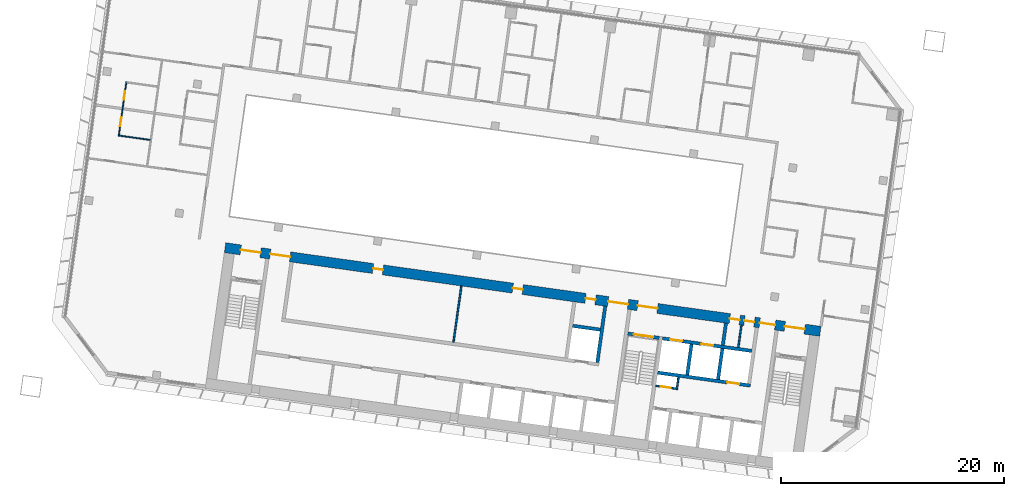
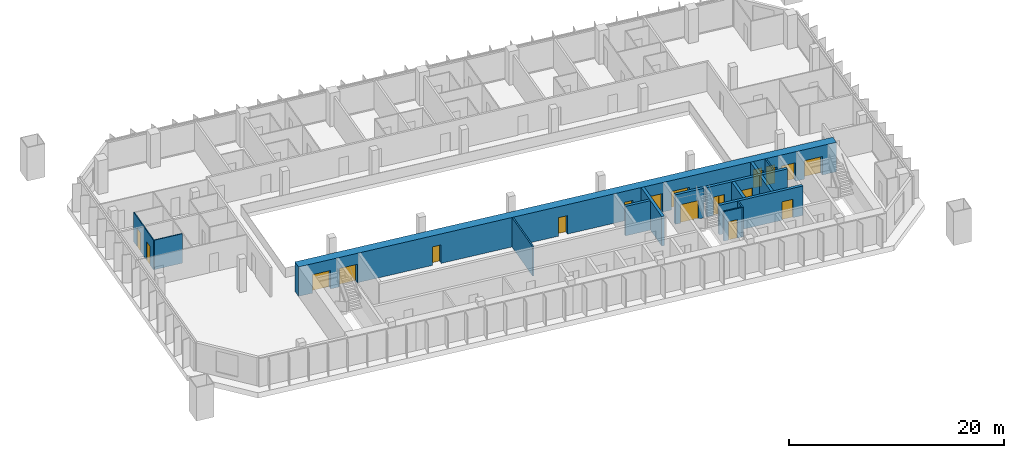
# One storey, part 15 of 25: 18 doors, 15 walls, 18 openings.
"""IFC4 building model written with IfcOpenShell, lengths in metres."""

from ifc_helpers import new_model, si_unit, direction, frame, frame_2d, origin, place, context, subcontext, project, spatial, rectangle, extrude, material, layer, layer_set, type_object, element, fill, save


model = new_model("IFC4")

# Units and contexts
model_context = context("Model", 3, precision=1e-05, world=origin(), true_north=direction((0.0, 1.0)))
body_context = subcontext(model_context, "Body", "Model", "MODEL_VIEW")
ifc_project = project(units=[si_unit("LENGTHUNIT", "METRE"), si_unit("AREAUNIT", "SQUARE_METRE"), si_unit("VOLUMEUNIT", "CUBIC_METRE"), si_unit("PLANEANGLEUNIT", "RADIAN"), si_unit("MASSUNIT", "GRAM", prefix="KILO")], contexts=[model_context])

# Site, building, storey
site_placement = place(None, origin())
site = spatial("IfcSite", under=ifc_project, at=site_placement, CompositionType="ELEMENT")
building_placement = place(site_placement, origin())
building = spatial("IfcBuilding", under=site, at=building_placement, Name="Mirante Cascada Hotel Towers", CompositionType="ELEMENT")
storey_placement = place(building_placement, frame((0.0, 0.0, 54.7)))
storey = spatial("IfcBuildingStorey", under=building, at=storey_placement, Name="L10", CompositionType="ELEMENT", Elevation=54.7)

# Wall
ifc_material_1 = material(Name="Masonry block", Category="masonry")
ifc_layer_1 = layer(ifc_material_1, 0.15)
ifc_layer_set_1 = layer_set([ifc_layer_1], Name="Core room partition 150 block EI 30")
wall_type_1 = type_object("IfcWallType", Name="Core room partition 150 block EI 30", PredefinedType="PARTITIONING", material=ifc_layer_set_1)
wall_1_placement = place(storey_placement, frame((-48.2295, -12.793, 0.0), z_axis=(0.0, 0.0, 1.0), x_axis=(0.1391935, 0.9902652, 0.0)))
element("IfcWall", 1, at=wall_1_placement, inside=storey, type_object=wall_type_1, Name="Core wall partition T1 L10 2", PredefinedType="PARTITIONING", context=body_context, shape_type="SweptSolid", body=[
    extrude(rectangle(XDim=1.1251, YDim=0.15, at=frame_2d((0.5626, 0.0))), origin(), (0.0, 0.0, 1.0), 3.35),
])

# Wall, opening, door
wall_2_placement = place(storey_placement, frame((-48.2933, -12.7083, 0.0), z_axis=(0.0, 0.0, 1.0), x_axis=(-0.990268, 0.1391734, 0.0)))
wall_2 = element("IfcWall", 2, at=wall_2_placement, inside=storey, type_object=wall_type_1, Name="Core wall partition T1 L10 3", PredefinedType="PARTITIONING", context=body_context, shape_type="SweptSolid", body=[
    extrude(rectangle(XDim=1.8251, YDim=0.15, at=frame_2d((0.9126, 0.0))), origin(), (0.0, 0.0, 1.0), 3.35),
])
opening_1_placement = place(wall_2_placement, frame((0.4625, 0.0, 0.0)))
opening_1 = element("IfcOpeningElement", 3, at=opening_1_placement, cuts=wall_2, Name="Opening D1-10-C23", PredefinedType="OPENING", context=body_context, shape_type="SweptSolid", body=[
    extrude(rectangle(XDim=0.9, YDim=2.1, at=frame_2d((0.45, 1.05))), frame((0.0, 0.075, 0.0), z_axis=(0.0, -1.0, 0.0), x_axis=(1.0, 0.0, 0.0)), (0.0, 0.0, 1.0), 0.15),
])
ifc_material_2 = material(Name="Hollow metal fire door leaf")
door_type_1 = type_object("IfcDoorType", Name="Fire door 900x2100 FD60", OperationType="NOTDEFINED", PredefinedType="DOOR", material=ifc_material_2)
door_1_placement = place(opening_1_placement, origin())
door_1 = element("IfcDoor", 4, at=door_1_placement, inside=storey, type_object=door_type_1, Name="Riser door T1 L10 23", OperationType="SINGLE_SWING_LEFT", OverallHeight=2.1, OverallWidth=0.9, PredefinedType="DOOR", context=body_context, shape_type="SweptSolid", body=[
    extrude(rectangle(XDim=0.9, YDim=2.1, at=frame_2d((0.45, 1.05))), frame((0.0, 0.025, 0.0), z_axis=(0.0, -1.0, 0.0), x_axis=(1.0, 0.0, 0.0)), (0.0, 0.0, 1.0), 0.05),
])
fill(opening_1, door_1)

# Walls
wall_3_placement = place(storey_placement, frame((-42.6979, -9.0009, 0.0), z_axis=(0.0, 0.0, 1.0), x_axis=(0.1391529, 0.9902709, 0.0)))
element("IfcWall", 5, at=wall_3_placement, inside=storey, type_object=wall_type_1, Name="Core wall partition T1 L10 4", PredefinedType="PARTITIONING", context=body_context, shape_type="SweptSolid", body=[
    extrude(rectangle(XDim=2.0, YDim=0.15, at=frame_2d((1.0, 0.0))), origin(), (0.0, 0.0, 1.0), 3.35),
])
wall_4_placement = place(storey_placement, frame((-68.2822, -8.5358, 0.0), z_axis=(0.0, 0.0, 1.0), x_axis=(0.1391755, 0.9902677, 0.0)))
element("IfcWall", 6, at=wall_4_placement, inside=storey, type_object=wall_type_1, Name="Core wall partition T1 L10 7", PredefinedType="PARTITIONING", context=body_context, shape_type="SweptSolid", body=[
    extrude(rectangle(XDim=5.1, YDim=0.15, at=frame_2d((2.55, 0.0))), origin(), (0.0, 0.0, 1.0), 3.35),
])
ifc_material_3 = material(Name="Masonry block", Category="masonry")
ifc_layer_2 = layer(ifc_material_3, 0.3)
ifc_layer_set_2 = layer_set([ifc_layer_2], Name="Core wall 300 block EI 120")
wall_type_2 = type_object("IfcWallType", Name="Core wall 300 block EI 120", PredefinedType="PARTITIONING", material=ifc_layer_set_2)
wall_5_placement = place(storey_placement, frame((-44.0843, -8.8061, 0.0), z_axis=(0.0, 0.0, 1.0), x_axis=(0.1391951, 0.990265, 0.0)))
element("IfcWall", 7, at=wall_5_placement, inside=storey, type_object=wall_type_2, Name="Core wall partition T1 L10 1", PredefinedType="PARTITIONING", context=body_context, shape_type="SweptSolid", body=[
    extrude(rectangle(XDim=2.0001, YDim=0.3, at=frame_2d((1.0001, 0.0))), origin(), (0.0, 0.0, 1.0), 3.35),
])
ifc_material_4 = material(Name="Plasterboard on metal studs")
ifc_layer_3 = layer(ifc_material_4, 0.1)
ifc_layer_set_3 = layer_set([ifc_layer_3], Name="Partition 100")
wall_type_3 = type_object("IfcWallType", Name="Partition 100", PredefinedType="PARTITIONING", material=ifc_layer_set_3)
wall_6_placement = place(storey_placement, frame((-95.5188, 9.6317, 0.0), z_axis=(0.0, 0.0, 1.0), x_axis=(-0.9902726, 0.139141, 0.0)))
element("IfcWall", 8, at=wall_6_placement, inside=storey, type_object=wall_type_3, Name="Wall 1-L10-11", PredefinedType="PARTITIONING", context=body_context, shape_type="SweptSolid", body=[
    extrude(rectangle(XDim=2.8, YDim=0.1, at=frame_2d((1.4, 0.0))), origin(), (0.0, 0.0, 1.0), 3.35),
])

# Wall, openings, doors
wall_7_placement = place(storey_placement, frame((-97.6615, 14.8641, 0.0), z_axis=(0.0, 0.0, 1.0), x_axis=(-0.1391564, -0.9902704, 0.0)))
wall_7 = element("IfcWall", 9, at=wall_7_placement, inside=storey, type_object=wall_type_3, Name="Wall 1-L10-62", PredefinedType="PARTITIONING", context=body_context, shape_type="SweptSolid", body=[
    extrude(rectangle(XDim=4.9333, YDim=0.1, at=frame_2d((2.4666, 0.0))), origin(), (0.0, 0.0, 1.0), 3.35),
])
opening_2_placement = place(wall_7_placement, frame((3.25, 0.0, 0.0)))
opening_2 = element("IfcOpeningElement", 10, at=opening_2_placement, cuts=wall_7, Name="Opening D1-L10-41", PredefinedType="OPENING", context=body_context, shape_type="SweptSolid", body=[
    extrude(rectangle(XDim=0.8, YDim=2.1, at=frame_2d((0.4, 1.05))), frame((0.0, 0.05, 0.0), z_axis=(0.0, -1.0, 0.0), x_axis=(1.0, 0.0, 0.0)), (0.0, 0.0, 1.0), 0.1),
])
opening_3_placement = place(wall_7_placement, frame((0.85, 0.0, 0.0)))
opening_3 = element("IfcOpeningElement", 11, at=opening_3_placement, cuts=wall_7, Name="Opening D1-L10-42", PredefinedType="OPENING", context=body_context, shape_type="SweptSolid", body=[
    extrude(rectangle(XDim=0.8, YDim=2.1, at=frame_2d((0.4, 1.05))), frame((0.0, 0.05, 0.0), z_axis=(0.0, -1.0, 0.0), x_axis=(1.0, 0.0, 0.0)), (0.0, 0.0, 1.0), 0.1),
])
ifc_material_5 = material(Name="Timber door leaf", Category="wood")
door_type_2 = type_object("IfcDoorType", Name="Bathroom door DG4 800x2100", OperationType="SINGLE_SWING_LEFT", PredefinedType="DOOR", material=ifc_material_5)
door_2_placement = place(opening_2_placement, frame((0.8, 0.0, 0.0), z_axis=(0.0, 0.0, 1.0), x_axis=(-1.0, 0.0, 0.0)))
door_2 = element("IfcDoor", 12, at=door_2_placement, inside=storey, type_object=door_type_2, Name="Door D1-L10-41", OperationType="SINGLE_SWING_RIGHT", OverallHeight=2.1, OverallWidth=0.8, PredefinedType="DOOR", context=body_context, shape_type="SweptSolid", body=[
    extrude(rectangle(XDim=0.8, YDim=2.1, at=frame_2d((0.4, 1.05))), frame((0.0, 0.025, 0.0), z_axis=(0.0, -1.0, 0.0), x_axis=(1.0, 0.0, 0.0)), (0.0, 0.0, 1.0), 0.05),
])
fill(opening_2, door_2)
door_3_placement = place(opening_3_placement, origin())
door_3 = element("IfcDoor", 13, at=door_3_placement, inside=storey, type_object=door_type_2, Name="Door D1-L10-42", OperationType="SINGLE_SWING_LEFT", OverallHeight=2.1, OverallWidth=0.8, PredefinedType="DOOR", context=body_context, shape_type="SweptSolid", body=[
    extrude(rectangle(XDim=0.8, YDim=2.1, at=frame_2d((0.4, 1.05))), frame((0.0, 0.025, 0.0), z_axis=(0.0, -1.0, 0.0), x_axis=(1.0, 0.0, 0.0)), (0.0, 0.0, 1.0), 0.05),
])
fill(opening_3, door_3)

# Wall, opening, door
ifc_material_6 = material(Name="Concrete C50/60", Category="concrete")
ifc_layer_4 = layer(ifc_material_6, 0.3)
ifc_layer_set_4 = layer_set([ifc_layer_4], Name="RC core wall 300 C50/60")
wall_type_4 = type_object("IfcWallType", Name="RC core wall 300 C50/60", PredefinedType="SHEAR", material=ifc_layer_set_4)
wall_8_placement = place(storey_placement, frame((-49.7992, -8.1544, 0.0), z_axis=(0.0, 0.0, 1.0), x_axis=(-0.9902656, 0.1391909, 0.0)))
wall_8 = element("IfcWall", 14, at=wall_8_placement, inside=storey, type_object=wall_type_4, Name="Core wall T1:L10:10", PredefinedType="SHEAR", context=body_context, shape_type="SweptSolid", body=[
    extrude(rectangle(XDim=2.85, YDim=0.3, at=frame_2d((1.425, 0.0))), origin(), (0.0, 0.0, 1.0), 3.35),
])
opening_4_placement = place(wall_8_placement, frame((0.525, 0.0, 0.0)))
opening_4 = element("IfcOpeningElement", 15, at=opening_4_placement, cuts=wall_8, Name="Opening D1-10-C15", PredefinedType="OPENING", context=body_context, shape_type="SweptSolid", body=[
    extrude(rectangle(XDim=1.8, YDim=2.1, at=frame_2d((0.9, 1.05))), frame((0.0, 0.15, 0.0), z_axis=(0.0, -1.0, 0.0), x_axis=(1.0, 0.0, 0.0)), (0.0, 0.0, 1.0), 0.3),
])
ifc_material_7 = material(Name="Hollow metal fire door leaf")
door_type_3 = type_object("IfcDoorType", Name="Double fire door 1800x2100 FD60", OperationType="DOUBLE_DOOR_SINGLE_SWING", PredefinedType="DOOR", material=ifc_material_7)
door_4_placement = place(opening_4_placement, origin())
door_4 = element("IfcDoor", 16, at=door_4_placement, inside=storey, type_object=door_type_3, Name="Stair door T1 L10 15", OperationType="DOUBLE_DOOR_SINGLE_SWING", OverallHeight=2.1, OverallWidth=1.8, PredefinedType="DOOR", context=body_context, shape_type="SweptSolid", body=[
    extrude(rectangle(XDim=0.895, YDim=2.1, at=frame_2d((0.4475, 1.05))), frame((0.0, 0.025, 0.0), z_axis=(0.0, -1.0, 0.0), x_axis=(1.0, 0.0, 0.0)), (0.0, 0.0, 1.0), 0.05),
    extrude(rectangle(XDim=0.895, YDim=2.1, at=frame_2d((1.3525, 1.05))), frame((0.0, 0.025, 0.0), z_axis=(0.0, -1.0, 0.0), x_axis=(1.0, 0.0, 0.0)), (0.0, 0.0, 1.0), 0.05),
])
fill(opening_4, door_4)

wall_9_placement = place(storey_placement, frame((-41.6153, -12.435, 0.0), z_axis=(0.0, 0.0, 1.0), x_axis=(-0.9902691, 0.139166, 0.0)))
wall_9 = element("IfcWall", 17, at=wall_9_placement, inside=storey, type_object=wall_type_4, Name="Core wall T1:L10:13", PredefinedType="SHEAR", context=body_context, shape_type="SweptSolid", body=[
    extrude(rectangle(XDim=8.4, YDim=0.3, at=frame_2d((4.2, 0.0))), origin(), (0.0, 0.0, 1.0), 3.35),
])
opening_5_placement = place(wall_9_placement, frame((1.0, 0.0, 0.0)))
opening_5 = element("IfcOpeningElement", 18, at=opening_5_placement, cuts=wall_9, Name="Opening LD", PredefinedType="OPENING", context=body_context, shape_type="SweptSolid", body=[
    extrude(rectangle(XDim=1.1, YDim=2.1, at=frame_2d((0.55, 1.05))), frame((0.0, 0.15, 0.0), z_axis=(0.0, -1.0, 0.0), x_axis=(1.0, 0.0, 0.0)), (0.0, 0.0, 1.0), 0.3),
])
ifc_material_8 = material(Name="Stainless steel", Category="steel")
door_type_4 = type_object("IfcDoorType", Name="Lift landing door 1100x2100 EI 120", OperationType="DOUBLE_DOOR_SLIDING", PredefinedType="DOOR", material=ifc_material_8)
door_5_placement = place(opening_5_placement, origin())
door_5 = element("IfcDoor", 19, at=door_5_placement, inside=storey, type_object=door_type_4, Name="Lift landing door HR1-4 L10", OperationType="DOUBLE_DOOR_SLIDING", OverallHeight=2.1, OverallWidth=1.1, PredefinedType="DOOR", context=body_context, shape_type="SweptSolid", body=[
    extrude(rectangle(XDim=0.545, YDim=2.1, at=frame_2d((0.2725, 1.05))), frame((0.0, 0.025, 0.0), z_axis=(0.0, -1.0, 0.0), x_axis=(1.0, 0.0, 0.0)), (0.0, 0.0, 1.0), 0.05),
    extrude(rectangle(XDim=0.545, YDim=2.1, at=frame_2d((0.8275, 1.05))), frame((0.0, 0.025, 0.0), z_axis=(0.0, -1.0, 0.0), x_axis=(1.0, 0.0, 0.0)), (0.0, 0.0, 1.0), 0.05),
])
fill(opening_5, door_5)

# Wall, openings, doors
wall_10_placement = place(storey_placement, frame((-41.481, -9.3234, 0.0), z_axis=(0.0, 0.0, 1.0), x_axis=(-0.9902679, 0.1391741, 0.0)))
wall_10 = element("IfcWall", 20, at=wall_10_placement, inside=storey, type_object=wall_type_4, Name="Core wall T1:L10:14", PredefinedType="SHEAR", context=body_context, shape_type="SweptSolid", body=[
    extrude(rectangle(XDim=8.0999, YDim=0.3, at=frame_2d((4.05, 0.0))), origin(), (0.0, 0.0, 1.0), 3.35),
])
opening_6_placement = place(wall_10_placement, frame((3.5, 0.0, 0.0)))
opening_6 = element("IfcOpeningElement", 21, at=opening_6_placement, cuts=wall_10, Name="Opening LD", PredefinedType="OPENING", context=body_context, shape_type="SweptSolid", body=[
    extrude(rectangle(XDim=1.1, YDim=2.1, at=frame_2d((0.55, 1.05))), frame((0.0, 0.15, 0.0), z_axis=(0.0, -1.0, 0.0), x_axis=(1.0, 0.0, 0.0)), (0.0, 0.0, 1.0), 0.3),
])
opening_7_placement = place(wall_10_placement, frame((6.3, 0.0, 0.0)))
opening_7 = element("IfcOpeningElement", 22, at=opening_7_placement, cuts=wall_10, Name="Opening LD", PredefinedType="OPENING", context=body_context, shape_type="SweptSolid", body=[
    extrude(rectangle(XDim=1.1, YDim=2.1, at=frame_2d((0.55, 1.05))), frame((0.0, 0.15, 0.0), z_axis=(0.0, -1.0, 0.0), x_axis=(1.0, 0.0, 0.0)), (0.0, 0.0, 1.0), 0.3),
])
door_6_placement = place(opening_6_placement, origin())
door_6 = element("IfcDoor", 23, at=door_6_placement, inside=storey, type_object=door_type_4, Name="Lift landing door FF1 L10", OperationType="DOUBLE_DOOR_SLIDING", OverallHeight=2.1, OverallWidth=1.1, PredefinedType="DOOR", context=body_context, shape_type="SweptSolid", body=[
    extrude(rectangle(XDim=0.545, YDim=2.1, at=frame_2d((0.2725, 1.05))), frame((0.0, 0.025, 0.0), z_axis=(0.0, -1.0, 0.0), x_axis=(1.0, 0.0, 0.0)), (0.0, 0.0, 1.0), 0.05),
    extrude(rectangle(XDim=0.545, YDim=2.1, at=frame_2d((0.8275, 1.05))), frame((0.0, 0.025, 0.0), z_axis=(0.0, -1.0, 0.0), x_axis=(1.0, 0.0, 0.0)), (0.0, 0.0, 1.0), 0.05),
])
fill(opening_6, door_6)
door_7_placement = place(opening_7_placement, origin())
door_7 = element("IfcDoor", 24, at=door_7_placement, inside=storey, type_object=door_type_4, Name="Lift landing door FF2 L10", OperationType="DOUBLE_DOOR_SLIDING", OverallHeight=2.1, OverallWidth=1.1, PredefinedType="DOOR", context=body_context, shape_type="SweptSolid", body=[
    extrude(rectangle(XDim=0.545, YDim=2.1, at=frame_2d((0.2725, 1.05))), frame((0.0, 0.025, 0.0), z_axis=(0.0, -1.0, 0.0), x_axis=(1.0, 0.0, 0.0)), (0.0, 0.0, 1.0), 0.05),
    extrude(rectangle(XDim=0.545, YDim=2.1, at=frame_2d((0.8275, 1.05))), frame((0.0, 0.025, 0.0), z_axis=(0.0, -1.0, 0.0), x_axis=(1.0, 0.0, 0.0)), (0.0, 0.0, 1.0), 0.05),
])
fill(opening_7, door_7)

# Walls
for number, where, z_axis, x_axis, name in (
    (25, (-44.5157, -11.8759, 0.0), (0.0, 0.0, 1.0), (0.139181, 0.990267, 0.0), "Core wall T1:L10:18"),
    (26, (-47.2885, -11.4862, 0.0), (0.0, 0.0, 1.0), (0.139181, 0.990267, 0.0), "Core wall T1:L10:19"),
):
    element("IfcWall", number, at=place(storey_placement, frame(where, z_axis=z_axis, x_axis=x_axis)), inside=storey, type_object=wall_type_4, Name=name, PredefinedType="SHEAR", context=body_context, shape_type="SweptSolid", body=[
        extrude(rectangle(XDim=2.8, YDim=0.3, at=frame_2d((1.4, 0.0))), origin(), (0.0, 0.0, 1.0), 3.35),
    ])
wall_11_placement = place(storey_placement, frame((-55.3592, -10.352, 0.0), z_axis=(0.0, 0.0, 1.0), x_axis=(0.1391755, 0.9902677, 0.0)))
element("IfcWall", 27, at=wall_11_placement, inside=storey, type_object=wall_type_4, Name="Core wall T1:L10:34", PredefinedType="SHEAR", context=body_context, shape_type="SweptSolid", body=[
    extrude(rectangle(XDim=5.1, YDim=0.3, at=frame_2d((2.55, 0.0))), origin(), (0.0, 0.0, 1.0), 3.35),
])
wall_12_placement = place(storey_placement, frame((-55.0971, -7.4098, 0.0), z_axis=(0.0, 0.0, 1.0), x_axis=(-0.9902701, 0.1391586, 0.0)))
element("IfcWall", 28, at=wall_12_placement, inside=storey, type_object=wall_type_4, Name="Core wall T1:L10:37", PredefinedType="SHEAR", context=body_context, shape_type="SweptSolid", body=[
    extrude(rectangle(XDim=2.5, YDim=0.3, at=frame_2d((1.25, 0.0))), origin(), (0.0, 0.0, 1.0), 3.35),
])

# Wall, openings, doors
ifc_material_9 = material(Name="Concrete C50/60", Category="concrete")
ifc_layer_5 = layer(ifc_material_9, 0.9)
ifc_layer_set_5 = layer_set([ifc_layer_5], Name="RC core wall 900 C50/60")
wall_type_5 = type_object("IfcWallType", Name="RC core wall 900 C50/60", PredefinedType="SHEAR", material=ifc_layer_set_5)
wall_13_placement = place(storey_placement, frame((-35.326, -7.5629, 0.0), z_axis=(0.0, 0.0, 1.0), x_axis=(-0.9902679, 0.139174, 0.0)))
wall_13 = element("IfcWall", 29, at=wall_13_placement, inside=storey, type_object=wall_type_5, Name="Core wall T1:L10:2", PredefinedType="SHEAR", context=body_context, shape_type="SweptSolid", body=[
    extrude(rectangle(XDim=54.0, YDim=0.9, at=frame_2d((27.0, 0.0))), origin(), (0.0, 0.0, 1.0), 3.35),
])
opening_8_placement = place(wall_13_placement, frame((1.425, 0.0, 0.0)))
opening_8 = element("IfcOpeningElement", 30, at=opening_8_placement, cuts=wall_13, Name="Opening D1-10-C14", PredefinedType="OPENING", context=body_context, shape_type="SweptSolid", body=[
    extrude(rectangle(XDim=1.8, YDim=2.1, at=frame_2d((0.9, 1.05))), frame((0.0, 0.45, 0.0), z_axis=(0.0, -1.0, 0.0), x_axis=(1.0, 0.0, 0.0)), (0.0, 0.0, 1.0), 0.9),
])
opening_9_placement = place(wall_13_placement, frame((14.775, 0.0, 0.0)))
opening_9 = element("IfcOpeningElement", 31, at=opening_9_placement, cuts=wall_13, Name="Opening D1-10-C16", PredefinedType="OPENING", context=body_context, shape_type="SweptSolid", body=[
    extrude(rectangle(XDim=1.8, YDim=2.1, at=frame_2d((0.9, 1.05))), frame((0.0, 0.45, 0.0), z_axis=(0.0, -1.0, 0.0), x_axis=(1.0, 0.0, 0.0)), (0.0, 0.0, 1.0), 0.9),
])
opening_10_placement = place(wall_13_placement, frame((50.775, 0.0, 0.0)))
opening_10 = element("IfcOpeningElement", 32, at=opening_10_placement, cuts=wall_13, Name="Opening D1-10-C18", PredefinedType="OPENING", context=body_context, shape_type="SweptSolid", body=[
    extrude(rectangle(XDim=1.8, YDim=2.1, at=frame_2d((0.9, 1.05))), frame((0.0, 0.45, 0.0), z_axis=(0.0, -1.0, 0.0), x_axis=(1.0, 0.0, 0.0)), (0.0, 0.0, 1.0), 0.9),
])
opening_11_placement = place(wall_13_placement, frame((4.1, 0.0, 0.0)))
opening_11 = element("IfcOpeningElement", 33, at=opening_11_placement, cuts=wall_13, Name="Opening D1-10-C19", PredefinedType="OPENING", context=body_context, shape_type="SweptSolid", body=[
    extrude(rectangle(XDim=1.4, YDim=2.1, at=frame_2d((0.7, 1.05))), frame((0.0, 0.45, 0.0), z_axis=(0.0, -1.0, 0.0), x_axis=(1.0, 0.0, 0.0)), (0.0, 0.0, 1.0), 0.9),
])
opening_12_placement = place(wall_13_placement, frame((17.45, 0.0, 0.0)))
opening_12 = element("IfcOpeningElement", 34, at=opening_12_placement, cuts=wall_13, Name="Opening D1-10-C20", PredefinedType="OPENING", context=body_context, shape_type="SweptSolid", body=[
    extrude(rectangle(XDim=1.8, YDim=2.1, at=frame_2d((0.9, 1.05))), frame((0.0, 0.45, 0.0), z_axis=(0.0, -1.0, 0.0), x_axis=(1.0, 0.0, 0.0)), (0.0, 0.0, 1.0), 0.9),
])
opening_13_placement = place(wall_13_placement, frame((48.1, 0.0, 0.0)))
opening_13 = element("IfcOpeningElement", 35, at=opening_13_placement, cuts=wall_13, Name="Opening D1-10-C21", PredefinedType="OPENING", context=body_context, shape_type="SweptSolid", body=[
    extrude(rectangle(XDim=1.8, YDim=2.1, at=frame_2d((0.9, 1.05))), frame((0.0, 0.45, 0.0), z_axis=(0.0, -1.0, 0.0), x_axis=(1.0, 0.0, 0.0)), (0.0, 0.0, 1.0), 0.9),
])
opening_14_placement = place(wall_13_placement, frame((5.9875, 0.0, 0.0)))
opening_14 = element("IfcOpeningElement", 36, at=opening_14_placement, cuts=wall_13, Name="Opening D1-10-C24", PredefinedType="OPENING", context=body_context, shape_type="SweptSolid", body=[
    extrude(rectangle(XDim=0.9, YDim=2.1, at=frame_2d((0.45, 1.05))), frame((0.0, 0.45, 0.0), z_axis=(0.0, -1.0, 0.0), x_axis=(1.0, 0.0, 0.0)), (0.0, 0.0, 1.0), 0.9),
])
opening_15_placement = place(wall_13_placement, frame((7.3125, 0.0, 0.0)))
opening_15 = element("IfcOpeningElement", 37, at=opening_15_placement, cuts=wall_13, Name="Opening D1-10-C25", PredefinedType="OPENING", context=body_context, shape_type="SweptSolid", body=[
    extrude(rectangle(XDim=0.9, YDim=2.1, at=frame_2d((0.45, 1.05))), frame((0.0, 0.45, 0.0), z_axis=(0.0, -1.0, 0.0), x_axis=(1.0, 0.0, 0.0)), (0.0, 0.0, 1.0), 0.9),
])
opening_16_placement = place(wall_13_placement, frame((20.4, 0.0, 0.0)))
opening_16 = element("IfcOpeningElement", 38, at=opening_16_placement, cuts=wall_13, Name="Opening D1-10-C29", PredefinedType="OPENING", context=body_context, shape_type="SweptSolid", body=[
    extrude(rectangle(XDim=0.9, YDim=2.1, at=frame_2d((0.45, 1.05))), frame((0.0, 0.45, 0.0), z_axis=(0.0, -1.0, 0.0), x_axis=(1.0, 0.0, 0.0)), (0.0, 0.0, 1.0), 0.9),
])
opening_17_placement = place(wall_13_placement, frame((27.0, 0.0, 0.0)))
opening_17 = element("IfcOpeningElement", 39, at=opening_17_placement, cuts=wall_13, Name="Opening D1-10-C30", PredefinedType="OPENING", context=body_context, shape_type="SweptSolid", body=[
    extrude(rectangle(XDim=0.9, YDim=2.1, at=frame_2d((0.45, 1.05))), frame((0.0, 0.45, 0.0), z_axis=(0.0, -1.0, 0.0), x_axis=(1.0, 0.0, 0.0)), (0.0, 0.0, 1.0), 0.9),
])
opening_18_placement = place(wall_13_placement, frame((39.675, 0.0, 0.0)))
opening_18 = element("IfcOpeningElement", 40, at=opening_18_placement, cuts=wall_13, Name="Opening D1-10-C31", PredefinedType="OPENING", context=body_context, shape_type="SweptSolid", body=[
    extrude(rectangle(XDim=0.9, YDim=2.1, at=frame_2d((0.45, 1.05))), frame((0.0, 0.45, 0.0), z_axis=(0.0, -1.0, 0.0), x_axis=(1.0, 0.0, 0.0)), (0.0, 0.0, 1.0), 0.9),
])
ifc_material_10 = material(Name="Hollow metal fire door leaf")
door_type_5 = type_object("IfcDoorType", Name="Double fire door 1400x2100 FD60", OperationType="DOUBLE_DOOR_SINGLE_SWING", PredefinedType="DOOR", material=ifc_material_10)
door_8_placement = place(opening_11_placement, frame((1.4, 0.0, 0.0), z_axis=(0.0, 0.0, 1.0), x_axis=(-1.0, 0.0, 0.0)))
door_8 = element("IfcDoor", 41, at=door_8_placement, inside=storey, type_object=door_type_5, Name="Exit door to gallery T1 L10 19", OperationType="DOUBLE_DOOR_SINGLE_SWING", OverallHeight=2.1, OverallWidth=1.4, PredefinedType="DOOR", context=body_context, shape_type="SweptSolid", body=[
    extrude(rectangle(XDim=0.695, YDim=2.1, at=frame_2d((0.3475, 1.05))), frame((0.0, 0.025, 0.0), z_axis=(0.0, -1.0, 0.0), x_axis=(1.0, 0.0, 0.0)), (0.0, 0.0, 1.0), 0.05),
    extrude(rectangle(XDim=0.695, YDim=2.1, at=frame_2d((1.0525, 1.05))), frame((0.0, 0.025, 0.0), z_axis=(0.0, -1.0, 0.0), x_axis=(1.0, 0.0, 0.0)), (0.0, 0.0, 1.0), 0.05),
])
fill(opening_11, door_8)
door_9_placement = place(opening_8_placement, origin())
door_9 = element("IfcDoor", 42, at=door_9_placement, inside=storey, type_object=door_type_3, Name="Exit door to gallery T1 L10 14", OperationType="DOUBLE_DOOR_SINGLE_SWING", OverallHeight=2.1, OverallWidth=1.8, PredefinedType="DOOR", context=body_context, shape_type="SweptSolid", body=[
    extrude(rectangle(XDim=0.895, YDim=2.1, at=frame_2d((0.4475, 1.05))), frame((0.0, 0.025, 0.0), z_axis=(0.0, -1.0, 0.0), x_axis=(1.0, 0.0, 0.0)), (0.0, 0.0, 1.0), 0.05),
    extrude(rectangle(XDim=0.895, YDim=2.1, at=frame_2d((1.3525, 1.05))), frame((0.0, 0.025, 0.0), z_axis=(0.0, -1.0, 0.0), x_axis=(1.0, 0.0, 0.0)), (0.0, 0.0, 1.0), 0.05),
])
fill(opening_8, door_9)
door_10_placement = place(opening_9_placement, origin())
door_10 = element("IfcDoor", 43, at=door_10_placement, inside=storey, type_object=door_type_3, Name="Exit door to gallery T1 L10 16", OperationType="DOUBLE_DOOR_SINGLE_SWING", OverallHeight=2.1, OverallWidth=1.8, PredefinedType="DOOR", context=body_context, shape_type="SweptSolid", body=[
    extrude(rectangle(XDim=0.895, YDim=2.1, at=frame_2d((0.4475, 1.05))), frame((0.0, 0.025, 0.0), z_axis=(0.0, -1.0, 0.0), x_axis=(1.0, 0.0, 0.0)), (0.0, 0.0, 1.0), 0.05),
    extrude(rectangle(XDim=0.895, YDim=2.1, at=frame_2d((1.3525, 1.05))), frame((0.0, 0.025, 0.0), z_axis=(0.0, -1.0, 0.0), x_axis=(1.0, 0.0, 0.0)), (0.0, 0.0, 1.0), 0.05),
])
fill(opening_9, door_10)
door_11_placement = place(opening_10_placement, origin())
door_11 = element("IfcDoor", 44, at=door_11_placement, inside=storey, type_object=door_type_3, Name="Exit door to gallery T1 L10 18", OperationType="DOUBLE_DOOR_SINGLE_SWING", OverallHeight=2.1, OverallWidth=1.8, PredefinedType="DOOR", context=body_context, shape_type="SweptSolid", body=[
    extrude(rectangle(XDim=0.895, YDim=2.1, at=frame_2d((0.4475, 1.05))), frame((0.0, 0.025, 0.0), z_axis=(0.0, -1.0, 0.0), x_axis=(1.0, 0.0, 0.0)), (0.0, 0.0, 1.0), 0.05),
    extrude(rectangle(XDim=0.895, YDim=2.1, at=frame_2d((1.3525, 1.05))), frame((0.0, 0.025, 0.0), z_axis=(0.0, -1.0, 0.0), x_axis=(1.0, 0.0, 0.0)), (0.0, 0.0, 1.0), 0.05),
])
fill(opening_10, door_11)
door_12_placement = place(opening_12_placement, frame((1.8, 0.0, 0.0), z_axis=(0.0, 0.0, 1.0), x_axis=(-1.0, 0.0, 0.0)))
door_12 = element("IfcDoor", 45, at=door_12_placement, inside=storey, type_object=door_type_3, Name="Exit door to gallery T1 L10 20", OperationType="DOUBLE_DOOR_SINGLE_SWING", OverallHeight=2.1, OverallWidth=1.8, PredefinedType="DOOR", context=body_context, shape_type="SweptSolid", body=[
    extrude(rectangle(XDim=0.895, YDim=2.1, at=frame_2d((0.4475, 1.05))), frame((0.0, 0.025, 0.0), z_axis=(0.0, -1.0, 0.0), x_axis=(1.0, 0.0, 0.0)), (0.0, 0.0, 1.0), 0.05),
    extrude(rectangle(XDim=0.895, YDim=2.1, at=frame_2d((1.3525, 1.05))), frame((0.0, 0.025, 0.0), z_axis=(0.0, -1.0, 0.0), x_axis=(1.0, 0.0, 0.0)), (0.0, 0.0, 1.0), 0.05),
])
fill(opening_12, door_12)
door_13_placement = place(opening_13_placement, frame((1.8, 0.0, 0.0), z_axis=(0.0, 0.0, 1.0), x_axis=(-1.0, 0.0, 0.0)))
door_13 = element("IfcDoor", 46, at=door_13_placement, inside=storey, type_object=door_type_3, Name="Exit door to gallery T1 L10 21", OperationType="DOUBLE_DOOR_SINGLE_SWING", OverallHeight=2.1, OverallWidth=1.8, PredefinedType="DOOR", context=body_context, shape_type="SweptSolid", body=[
    extrude(rectangle(XDim=0.895, YDim=2.1, at=frame_2d((0.4475, 1.05))), frame((0.0, 0.025, 0.0), z_axis=(0.0, -1.0, 0.0), x_axis=(1.0, 0.0, 0.0)), (0.0, 0.0, 1.0), 0.05),
    extrude(rectangle(XDim=0.895, YDim=2.1, at=frame_2d((1.3525, 1.05))), frame((0.0, 0.025, 0.0), z_axis=(0.0, -1.0, 0.0), x_axis=(1.0, 0.0, 0.0)), (0.0, 0.0, 1.0), 0.05),
])
fill(opening_13, door_13)
door_14_placement = place(opening_14_placement, origin())
door_14 = element("IfcDoor", 47, at=door_14_placement, inside=storey, type_object=door_type_1, Name="Room door T1 L10 24", OperationType="SINGLE_SWING_RIGHT", OverallHeight=2.1, OverallWidth=0.9, PredefinedType="DOOR", context=body_context, shape_type="SweptSolid", body=[
    extrude(rectangle(XDim=0.9, YDim=2.1, at=frame_2d((0.45, 1.05))), frame((0.0, 0.025, 0.0), z_axis=(0.0, -1.0, 0.0), x_axis=(1.0, 0.0, 0.0)), (0.0, 0.0, 1.0), 0.05),
])
fill(opening_14, door_14)
door_15_placement = place(opening_15_placement, origin())
door_15 = element("IfcDoor", 48, at=door_15_placement, inside=storey, type_object=door_type_1, Name="Room door T1 L10 25", OperationType="SINGLE_SWING_RIGHT", OverallHeight=2.1, OverallWidth=0.9, PredefinedType="DOOR", context=body_context, shape_type="SweptSolid", body=[
    extrude(rectangle(XDim=0.9, YDim=2.1, at=frame_2d((0.45, 1.05))), frame((0.0, 0.025, 0.0), z_axis=(0.0, -1.0, 0.0), x_axis=(1.0, 0.0, 0.0)), (0.0, 0.0, 1.0), 0.05),
])
fill(opening_15, door_15)
door_16_placement = place(opening_16_placement, origin())
door_16 = element("IfcDoor", 49, at=door_16_placement, inside=storey, type_object=door_type_1, Name="Room door T1 L10 29", OperationType="SINGLE_SWING_RIGHT", OverallHeight=2.1, OverallWidth=0.9, PredefinedType="DOOR", context=body_context, shape_type="SweptSolid", body=[
    extrude(rectangle(XDim=0.9, YDim=2.1, at=frame_2d((0.45, 1.05))), frame((0.0, 0.025, 0.0), z_axis=(0.0, -1.0, 0.0), x_axis=(1.0, 0.0, 0.0)), (0.0, 0.0, 1.0), 0.05),
])
fill(opening_16, door_16)
door_17_placement = place(opening_17_placement, origin())
door_17 = element("IfcDoor", 50, at=door_17_placement, inside=storey, type_object=door_type_1, Name="Room door T1 L10 30", OperationType="SINGLE_SWING_RIGHT", OverallHeight=2.1, OverallWidth=0.9, PredefinedType="DOOR", context=body_context, shape_type="SweptSolid", body=[
    extrude(rectangle(XDim=0.9, YDim=2.1, at=frame_2d((0.45, 1.05))), frame((0.0, 0.025, 0.0), z_axis=(0.0, -1.0, 0.0), x_axis=(1.0, 0.0, 0.0)), (0.0, 0.0, 1.0), 0.05),
])
fill(opening_17, door_17)
door_18_placement = place(opening_18_placement, origin())
door_18 = element("IfcDoor", 51, at=door_18_placement, inside=storey, type_object=door_type_1, Name="Room door T1 L10 31", OperationType="SINGLE_SWING_LEFT", OverallHeight=2.1, OverallWidth=0.9, PredefinedType="DOOR", context=body_context, shape_type="SweptSolid", body=[
    extrude(rectangle(XDim=0.9, YDim=2.1, at=frame_2d((0.45, 1.05))), frame((0.0, 0.025, 0.0), z_axis=(0.0, -1.0, 0.0), x_axis=(1.0, 0.0, 0.0)), (0.0, 0.0, 1.0), 0.05),
])
fill(opening_18, door_18)

save(model, "model.ifc")
